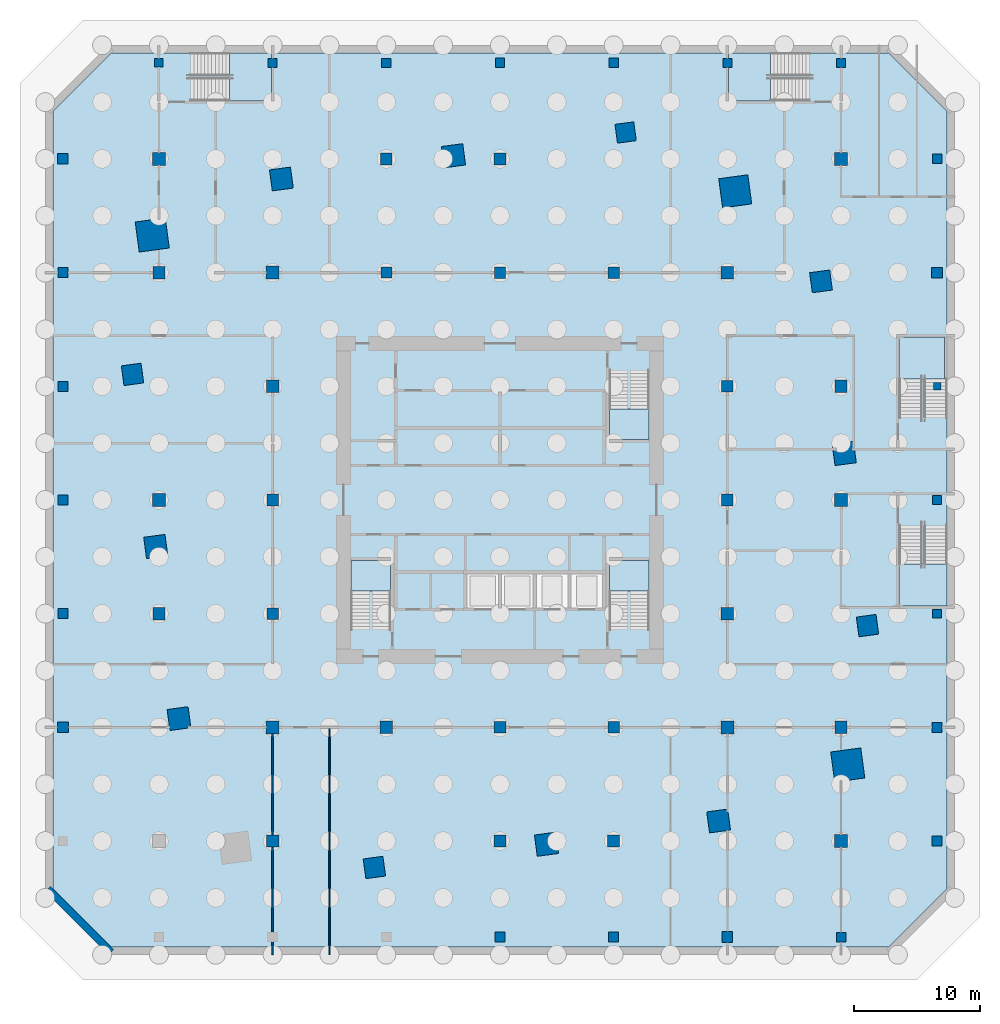
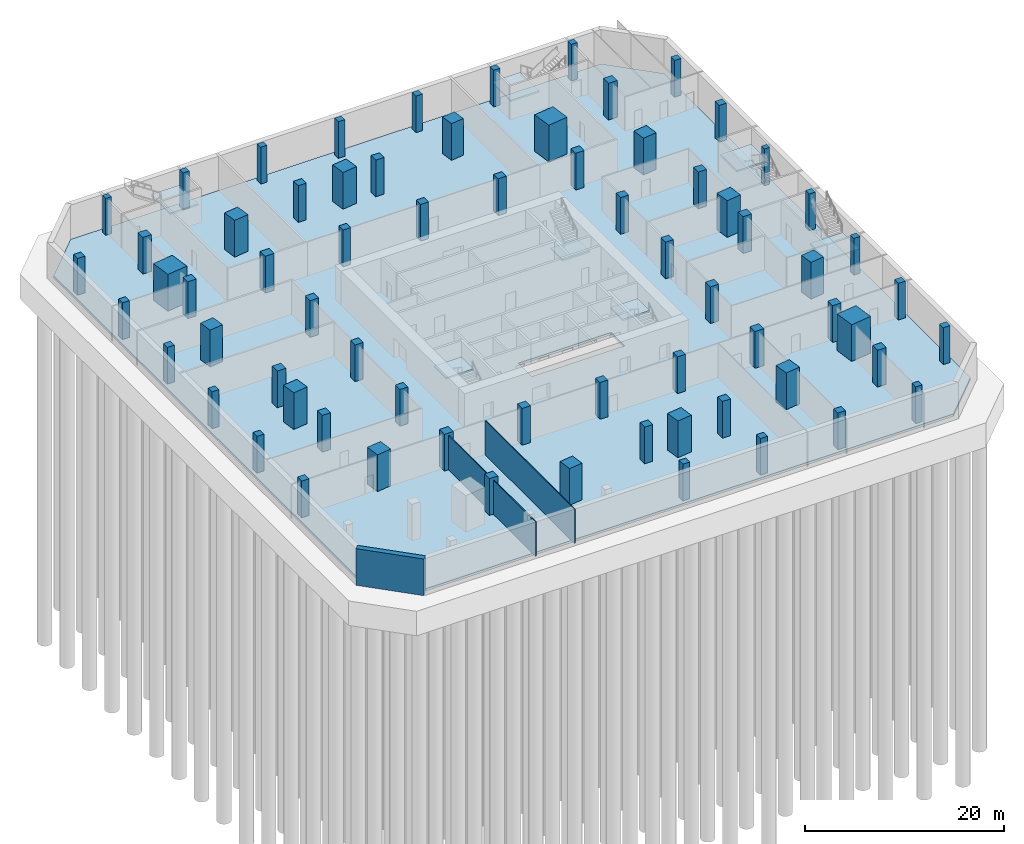
# One storey, part 2 of 12: 69 columns, 8 slabs, 4 walls, 7 elements without a shape of their own.
"""IFC4 building model written with IfcOpenShell, lengths in metres."""

from ifc_helpers import new_model, si_unit, direction, frame, frame_2d, origin, origin_2d, place, context, subcontext, project, spatial, polyline, rectangle, outline, extrude, material, layer, layer_set, material_profile, profile_set, type_object, element, aggregate, save


model = new_model("IFC4")

# Units and contexts
model_context = context("Model", 3, precision=1e-05, world=origin(), true_north=direction((0.0, 1.0)))
body_context = subcontext(model_context, "Body", "Model", "MODEL_VIEW")
ifc_project = project(units=[si_unit("LENGTHUNIT", "METRE"), si_unit("AREAUNIT", "SQUARE_METRE"), si_unit("VOLUMEUNIT", "CUBIC_METRE"), si_unit("PLANEANGLEUNIT", "RADIAN"), si_unit("MASSUNIT", "GRAM", prefix="KILO")], contexts=[model_context])

# Site, building, storey
site_placement = place(None, origin())
site = spatial("IfcSite", under=ifc_project, at=site_placement, CompositionType="ELEMENT")
building_placement = place(site_placement, origin())
building = spatial("IfcBuilding", under=site, at=building_placement, Name="Dilmun Exchange Tower", CompositionType="ELEMENT")
storey_placement = place(building_placement, frame((0.0, 0.0, -9.0)))
storey = spatial("IfcBuildingStorey", under=building, at=storey_placement, Name="B2", CompositionType="ELEMENT", Elevation=-9.0)

# Columns
ifc_material_1 = material(Name="Concrete C80/95", Category="concrete")
ifc_material_profile_1 = material_profile(ifc_material_1, rectangle(XDim=2.324951171875, YDim=2.324951171875, at=origin_2d()), Name="2325 x 2325")
ifc_profile_set_1 = profile_set([ifc_material_profile_1], Name="Concrete C80/95")
column_type_1 = type_object("IfcColumnType", Name="RC mega column 2325 x 2325 C80/95", PredefinedType="COLUMN", material=ifc_profile_set_1)
column_1_placement = place(storey_placement, frame((18.6220703125, 24.43701171875, -0.300048828125), z_axis=(0.0, 0.0, 1.0), x_axis=(0.991001197216, 0.133853005627, 0.0)))
element("IfcColumn", 1, at=column_1_placement, inside=storey, type_object=column_type_1, Name="Mega column M1", PredefinedType="COLUMN", context=body_context, shape_type="SweptSolid", body=[
    extrude(rectangle(XDim=2.324951171875, YDim=2.324951171875, at=origin_2d()), origin(), (0.0, 0.0, 1.0), 4.800048828125),
])
ifc_material_profile_2 = material_profile(ifc_material_1, rectangle(XDim=2.39990234375, YDim=2.39990234375, at=origin_2d()), Name="2400 x 2400")
ifc_profile_set_2 = profile_set([ifc_material_profile_2], Name="Concrete C80/95")
column_type_2 = type_object("IfcColumnType", Name="RC mega column 2400 x 2400 C80/95", PredefinedType="COLUMN", material=ifc_profile_set_2)
for number, where, z_axis, x_axis, name in (
    (2, (-27.531005859375, 20.97900390625, -0.300048828125), (0.0, 0.0, 1.0), (0.991001197216, 0.133853005627, 0.0), "Mega column M2"),
    (3, (27.531005859375, -20.97900390625, -0.300048828125), (0.0, 0.0, 1.0), (0.991001197216, 0.133853005627, 0.0), "Mega column M4"),
):
    element("IfcColumn", number, at=place(storey_placement, frame(where, z_axis=z_axis, x_axis=x_axis)), inside=storey, type_object=column_type_2, Name=name, PredefinedType="COLUMN", context=body_context, shape_type="SweptSolid", body=[
        extrude(rectangle(XDim=2.39990234375, YDim=2.39990234375, at=origin_2d()), origin(), (0.0, 0.0, 1.0), 4.800048828125),
    ])
ifc_material_2 = material(Name="Concrete C60/75", Category="concrete")
ifc_material_profile_3 = material_profile(ifc_material_2, rectangle(XDim=1.0, YDim=1.0, at=origin_2d()), Name="1000 x 1000")
ifc_profile_set_3 = profile_set([ifc_material_profile_3], Name="Concrete C60/75")
column_type_3 = type_object("IfcColumnType", Name="RC podium column 1000 x 1000 C60/75", PredefinedType="COLUMN", material=ifc_profile_set_3)
for number, where, z_axis, x_axis, name in (
    (4, (-27.0, 27.0, -0.300048828125), (0.0, 0.0, 1.0), (1.0, 0.0, 0.0), "Podium column 6M"),
    (5, (27.0, -27.0, -0.300048828125), (0.0, 0.0, 1.0), (1.0, 0.0, 0.0), "Podium column 12F"),
    (6, (27.0, 0.0, -0.300048828125), (0.0, 0.0, 1.0), (1.0, 0.0, 0.0), "Podium column 12J"),
):
    element("IfcColumn", number, at=place(storey_placement, frame(where, z_axis=z_axis, x_axis=x_axis)), inside=storey, type_object=column_type_3, Name=name, PredefinedType="COLUMN", context=body_context, shape_type="SweptSolid", body=[
        extrude(rectangle(XDim=1.0, YDim=1.0, at=origin_2d()), origin(), (0.0, 0.0, 1.0), 4.800048828125),
    ])
ifc_material_profile_4 = material_profile(ifc_material_2, rectangle(XDim=1.02490234375, YDim=1.02490234375, at=origin_2d()), Name="1025 x 1025")
ifc_profile_set_4 = profile_set([ifc_material_profile_4], Name="Concrete C60/75")
column_type_4 = type_object("IfcColumnType", Name="RC podium column 1025 x 1025 C60/75", PredefinedType="COLUMN", material=ifc_profile_set_4)
for number, where, z_axis, x_axis, name in (
    (7, (-27.0, 0.0, -0.300048828125), (0.0, 0.0, 1.0), (1.0, 0.0, 0.0), "Podium column 6J"),
    (8, (-18.0, -18.0, -0.300048828125), (0.0, 0.0, 1.0), (1.0, 0.0, 0.0), "Podium column 7G"),
    (9, (-18.0, 18.0, -0.300048828125), (0.0, 0.0, 1.0), (1.0, 0.0, 0.0), "Podium column 7L"),
    (10, (18.0, -18.0, -0.300048828125), (0.0, 0.0, 1.0), (1.0, 0.0, 0.0), "Podium column 11G"),
    (11, (27.0, 27.0, -0.300048828125), (0.0, 0.0, 1.0), (1.0, 0.0, 0.0), "Podium column 12M"),
):
    element("IfcColumn", number, at=place(storey_placement, frame(where, z_axis=z_axis, x_axis=x_axis)), inside=storey, type_object=column_type_4, Name=name, PredefinedType="COLUMN", context=body_context, shape_type="SweptSolid", body=[
        extrude(rectangle(XDim=1.02490234375, YDim=1.02490234375, at=origin_2d()), origin(), (0.0, 0.0, 1.0), 4.800048828125),
    ])
ifc_material_profile_5 = material_profile(ifc_material_2, rectangle(XDim=0.60009765625, YDim=0.60009765625, at=origin_2d()), Name="600 x 600")
ifc_profile_set_5 = profile_set([ifc_material_profile_5], Name="Concrete C60/75")
column_type_5 = type_object("IfcColumnType", Name="RC podium column 600 x 600 C60/75", PredefinedType="COLUMN", material=ifc_profile_set_5)
column_2_placement = place(storey_placement, frame((34.60009765625, 9.0, -0.300048828125), z_axis=(0.0, 0.0, 1.0), x_axis=(1.0, 0.0, 0.0)))
element("IfcColumn", 12, at=column_2_placement, inside=storey, type_object=column_type_5, Name="Podium column 13K", PredefinedType="COLUMN", context=body_context, shape_type="SweptSolid", body=[
    extrude(rectangle(XDim=0.60009765625, YDim=0.60009765625, at=origin_2d()), origin(), (0.0, 0.0, 1.0), 4.800048828125),
])
ifc_material_profile_6 = material_profile(ifc_material_2, rectangle(XDim=0.675048828125, YDim=0.675048828125, at=origin_2d()), Name="675 x 675")
ifc_profile_set_6 = profile_set([ifc_material_profile_6], Name="Concrete C60/75")
column_type_6 = type_object("IfcColumnType", Name="RC podium column 675 x 675 C60/75", PredefinedType="COLUMN", material=ifc_profile_set_6)
column_3_placement = place(storey_placement, frame((-27.0, 34.60009765625, -0.300048828125), z_axis=(0.0, 0.0, 1.0), x_axis=(1.0, 0.0, 0.0)))
element("IfcColumn", 13, at=column_3_placement, inside=storey, type_object=column_type_6, Name="Podium column 6N", PredefinedType="COLUMN", context=body_context, shape_type="SweptSolid", body=[
    extrude(rectangle(XDim=0.675048828125, YDim=0.675048828125, at=origin_2d()), origin(), (0.0, 0.0, 1.0), 4.800048828125),
])
ifc_material_profile_7 = material_profile(ifc_material_2, rectangle(XDim=0.699951171875, YDim=0.699951171875, at=origin_2d()), Name="700 x 700")
ifc_profile_set_7 = profile_set([ifc_material_profile_7], Name="Concrete C60/75")
column_type_7 = type_object("IfcColumnType", Name="RC podium column 700 x 700 C60/75", PredefinedType="COLUMN", material=ifc_profile_set_7)
for number, where, z_axis, x_axis, name in (
    (14, (27.0, 34.60009765625, -0.300048828125), (0.0, 0.0, 1.0), (1.0, 0.0, 0.0), "Podium column 12N"),
    (15, (34.60009765625, -9.0, -0.300048828125), (0.0, 0.0, 1.0), (1.0, 0.0, 0.0), "Podium column 13H"),
):
    element("IfcColumn", number, at=place(storey_placement, frame(where, z_axis=z_axis, x_axis=x_axis)), inside=storey, type_object=column_type_7, Name=name, PredefinedType="COLUMN", context=body_context, shape_type="SweptSolid", body=[
        extrude(rectangle(XDim=0.699951171875, YDim=0.699951171875, at=origin_2d()), origin(), (0.0, 0.0, 1.0), 4.800048828125),
    ])
ifc_material_profile_8 = material_profile(ifc_material_2, rectangle(XDim=0.72509765625, YDim=0.72509765625, at=origin_2d()), Name="725 x 725")
ifc_profile_set_8 = profile_set([ifc_material_profile_8], Name="Concrete C60/75")
column_type_8 = type_object("IfcColumnType", Name="RC podium column 725 x 725 C60/75", PredefinedType="COLUMN", material=ifc_profile_set_8)
for number, where, z_axis, x_axis, name in (
    (16, (-18.0, 34.60009765625, -0.300048828125), (0.0, 0.0, 1.0), (1.0, 0.0, 0.0), "Podium column 7N"),
    (17, (-9.0, 34.60009765625, -0.300048828125), (0.0, 0.0, 1.0), (1.0, 0.0, 0.0), "Podium column 8N"),
    (18, (18.0, 34.60009765625, -0.300048828125), (0.0, 0.0, 1.0), (1.0, 0.0, 0.0), "Podium column 11N"),
    (19, (34.60009765625, 0.0, -0.300048828125), (0.0, 0.0, 1.0), (1.0, 0.0, 0.0), "Podium column 13J"),
):
    element("IfcColumn", number, at=place(storey_placement, frame(where, z_axis=z_axis, x_axis=x_axis)), inside=storey, type_object=column_type_8, Name=name, PredefinedType="COLUMN", context=body_context, shape_type="SweptSolid", body=[
        extrude(rectangle(XDim=0.72509765625, YDim=0.72509765625, at=origin_2d()), origin(), (0.0, 0.0, 1.0), 4.800048828125),
    ])
ifc_material_profile_9 = material_profile(ifc_material_2, rectangle(XDim=0.75, YDim=0.75, at=origin_2d()), Name="750 x 750")
ifc_profile_set_9 = profile_set([ifc_material_profile_9], Name="Concrete C60/75")
column_type_9 = type_object("IfcColumnType", Name="RC podium column 750 x 750 C60/75", PredefinedType="COLUMN", material=ifc_profile_set_9)
for number, where, z_axis, x_axis, name in (
    (20, (0.0, 34.60009765625, -0.300048828125), (0.0, 0.0, 1.0), (1.0, 0.0, 0.0), "Podium column 9N"),
    (21, (9.0, 34.60009765625, -0.300048828125), (0.0, 0.0, 1.0), (1.0, 0.0, 0.0), "Podium column 10N"),
    (22, (27.0, -34.60009765625, -0.300048828125), (0.0, 0.0, 1.0), (1.0, 0.0, 0.0), "Podium column 12E"),
    (23, (34.60009765625, 27.0, -0.300048828125), (0.0, 0.0, 1.0), (1.0, 0.0, 0.0), "Podium column 13M"),
):
    element("IfcColumn", number, at=place(storey_placement, frame(where, z_axis=z_axis, x_axis=x_axis)), inside=storey, type_object=column_type_9, Name=name, PredefinedType="COLUMN", context=body_context, shape_type="SweptSolid", body=[
        extrude(rectangle(XDim=0.75, YDim=0.75, at=origin_2d()), origin(), (0.0, 0.0, 1.0), 4.800048828125),
    ])
ifc_material_profile_10 = material_profile(ifc_material_2, rectangle(XDim=0.800048828125, YDim=0.800048828125, at=origin_2d()), Name="800 x 800")
ifc_profile_set_10 = profile_set([ifc_material_profile_10], Name="Concrete C60/75")
column_type_10 = type_object("IfcColumnType", Name="RC podium column 800 x 800 C60/75", PredefinedType="COLUMN", material=ifc_profile_set_10)
for number, where, z_axis, x_axis, name in (
    (24, (-34.60009765625, -9.0, -0.300048828125), (0.0, 0.0, 1.0), (1.0, 0.0, 0.0), "Podium column 5H"),
    (25, (-34.60009765625, 0.0, -0.300048828125), (0.0, 0.0, 1.0), (1.0, 0.0, 0.0), "Podium column 5J"),
    (26, (-34.60009765625, 9.0, -0.300048828125), (0.0, 0.0, 1.0), (1.0, 0.0, 0.0), "Podium column 5K"),
    (27, (-34.60009765625, 18.0, -0.300048828125), (0.0, 0.0, 1.0), (1.0, 0.0, 0.0), "Podium column 5L"),
    (28, (0.0, -34.60009765625, -0.300048828125), (0.0, 0.0, 1.0), (1.0, 0.0, 0.0), "Podium column 9E"),
    (29, (9.0, -34.60009765625, -0.300048828125), (0.0, 0.0, 1.0), (1.0, 0.0, 0.0), "Podium column 10E"),
    (30, (34.60009765625, -27.0, -0.300048828125), (0.0, 0.0, 1.0), (1.0, 0.0, 0.0), "Podium column 13F"),
    (31, (34.60009765625, -18.0, -0.300048828125), (0.0, 0.0, 1.0), (1.0, 0.0, 0.0), "Podium column 13G"),
):
    element("IfcColumn", number, at=place(storey_placement, frame(where, z_axis=z_axis, x_axis=x_axis)), inside=storey, type_object=column_type_10, Name=name, PredefinedType="COLUMN", context=body_context, shape_type="SweptSolid", body=[
        extrude(rectangle(XDim=0.800048828125, YDim=0.800048828125, at=origin_2d()), origin(), (0.0, 0.0, 1.0), 4.800048828125),
    ])
ifc_material_profile_11 = material_profile(ifc_material_2, rectangle(XDim=0.824951171875, YDim=0.824951171875, at=origin_2d()), Name="825 x 825")
ifc_profile_set_11 = profile_set([ifc_material_profile_11], Name="Concrete C60/75")
column_type_11 = type_object("IfcColumnType", Name="RC podium column 825 x 825 C60/75", PredefinedType="COLUMN", material=ifc_profile_set_11)
column_4_placement = place(storey_placement, frame((-34.60009765625, 27.0, -0.300048828125), z_axis=(0.0, 0.0, 1.0), x_axis=(1.0, 0.0, 0.0)))
element("IfcColumn", 32, at=column_4_placement, inside=storey, type_object=column_type_11, Name="Podium column 5M", PredefinedType="COLUMN", context=body_context, shape_type="SweptSolid", body=[
    extrude(rectangle(XDim=0.824951171875, YDim=0.824951171875, at=origin_2d()), origin(), (0.0, 0.0, 1.0), 4.800048828125),
])
ifc_material_profile_12 = material_profile(ifc_material_2, rectangle(XDim=0.85009765625, YDim=0.85009765625, at=origin_2d()), Name="850 x 850")
ifc_profile_set_12 = profile_set([ifc_material_profile_12], Name="Concrete C60/75")
column_type_12 = type_object("IfcColumnType", Name="RC podium column 850 x 850 C60/75", PredefinedType="COLUMN", material=ifc_profile_set_12)
for number, where, z_axis, x_axis, name in (
    (33, (-34.60009765625, -18.0, -0.300048828125), (0.0, 0.0, 1.0), (1.0, 0.0, 0.0), "Podium column 5G"),
    (34, (18.0, -34.60009765625, -0.300048828125), (0.0, 0.0, 1.0), (1.0, 0.0, 0.0), "Podium column 11E"),
    (35, (34.60009765625, 18.0, -0.300048828125), (0.0, 0.0, 1.0), (1.0, 0.0, 0.0), "Podium column 13L"),
):
    element("IfcColumn", number, at=place(storey_placement, frame(where, z_axis=z_axis, x_axis=x_axis)), inside=storey, type_object=column_type_12, Name=name, PredefinedType="COLUMN", context=body_context, shape_type="SweptSolid", body=[
        extrude(rectangle(XDim=0.85009765625, YDim=0.85009765625, at=origin_2d()), origin(), (0.0, 0.0, 1.0), 4.800048828125),
    ])
ifc_material_profile_13 = material_profile(ifc_material_2, rectangle(XDim=0.875, YDim=0.875, at=origin_2d()), Name="875 x 875")
ifc_profile_set_13 = profile_set([ifc_material_profile_13], Name="Concrete C60/75")
column_type_13 = type_object("IfcColumnType", Name="RC podium column 875 x 875 C60/75", PredefinedType="COLUMN", material=ifc_profile_set_13)
column_5_placement = place(storey_placement, frame((-9.0, 18.0, -0.300048828125), z_axis=(0.0, 0.0, 1.0), x_axis=(1.0, 0.0, 0.0)))
element("IfcColumn", 36, at=column_5_placement, inside=storey, type_object=column_type_13, Name="Podium column 8L", PredefinedType="COLUMN", context=body_context, shape_type="SweptSolid", body=[
    extrude(rectangle(XDim=0.875, YDim=0.875, at=origin_2d()), origin(), (0.0, 0.0, 1.0), 4.800048828125),
])
ifc_material_profile_14 = material_profile(ifc_material_2, rectangle(XDim=0.89990234375, YDim=0.89990234375, at=origin_2d()), Name="900 x 900")
ifc_profile_set_14 = profile_set([ifc_material_profile_14], Name="Concrete C60/75")
column_type_14 = type_object("IfcColumnType", Name="RC podium column 900 x 900 C60/75", PredefinedType="COLUMN", material=ifc_profile_set_14)
column_6_placement = place(storey_placement, frame((0.0, 18.0, -0.300048828125), z_axis=(0.0, 0.0, 1.0), x_axis=(1.0, 0.0, 0.0)))
element("IfcColumn", 37, at=column_6_placement, inside=storey, type_object=column_type_14, Name="Podium column 9L", PredefinedType="COLUMN", context=body_context, shape_type="SweptSolid", body=[
    extrude(rectangle(XDim=0.89990234375, YDim=0.89990234375, at=origin_2d()), origin(), (0.0, 0.0, 1.0), 4.800048828125),
])
ifc_material_profile_15 = material_profile(ifc_material_2, rectangle(XDim=0.925048828125, YDim=0.925048828125, at=origin_2d()), Name="925 x 925")
ifc_profile_set_15 = profile_set([ifc_material_profile_15], Name="Concrete C60/75")
column_type_15 = type_object("IfcColumnType", Name="RC podium column 925 x 925 C60/75", PredefinedType="COLUMN", material=ifc_profile_set_15)
for number, where, z_axis, x_axis, name in (
    (38, (-18.0, -9.0, -0.300048828125), (0.0, 0.0, 1.0), (1.0, 0.0, 0.0), "Podium column 7H"),
    (39, (-18.0, 0.0, -0.300048828125), (0.0, 0.0, 1.0), (1.0, 0.0, 0.0), "Podium column 7J"),
    (40, (-9.0, 27.0, -0.300048828125), (0.0, 0.0, 1.0), (1.0, 0.0, 0.0), "Podium column 8M"),
    (41, (0.0, -27.0, -0.300048828125), (0.0, 0.0, 1.0), (1.0, 0.0, 0.0), "Podium column 9F"),
    (42, (0.0, -18.0, -0.300048828125), (0.0, 0.0, 1.0), (1.0, 0.0, 0.0), "Podium column 9G"),
    (43, (9.0, -18.0, -0.300048828125), (0.0, 0.0, 1.0), (1.0, 0.0, 0.0), "Podium column 10G"),
    (44, (9.0, 18.0, -0.300048828125), (0.0, 0.0, 1.0), (1.0, 0.0, 0.0), "Podium column 10L"),
    (45, (18.0, 0.0, -0.300048828125), (0.0, 0.0, 1.0), (1.0, 0.0, 0.0), "Podium column 11J"),
    (46, (18.0, 9.0, -0.300048828125), (0.0, 0.0, 1.0), (1.0, 0.0, 0.0), "Podium column 11K"),
):
    element("IfcColumn", number, at=place(storey_placement, frame(where, z_axis=z_axis, x_axis=x_axis)), inside=storey, type_object=column_type_15, Name=name, PredefinedType="COLUMN", context=body_context, shape_type="SweptSolid", body=[
        extrude(rectangle(XDim=0.925048828125, YDim=0.925048828125, at=origin_2d()), origin(), (0.0, 0.0, 1.0), 4.800048828125),
    ])
ifc_material_profile_16 = material_profile(ifc_material_2, rectangle(XDim=0.949951171875, YDim=0.949951171875, at=origin_2d()), Name="950 x 950")
ifc_profile_set_16 = profile_set([ifc_material_profile_16], Name="Concrete C60/75")
column_type_16 = type_object("IfcColumnType", Name="RC podium column 950 x 950 C60/75", PredefinedType="COLUMN", material=ifc_profile_set_16)
for number, where, z_axis, x_axis, name in (
    (47, (0.0, 27.0, -0.300048828125), (0.0, 0.0, 1.0), (1.0, 0.0, 0.0), "Podium column 9M"),
    (48, (9.0, -27.0, -0.300048828125), (0.0, 0.0, 1.0), (1.0, 0.0, 0.0), "Podium column 10F"),
):
    element("IfcColumn", number, at=place(storey_placement, frame(where, z_axis=z_axis, x_axis=x_axis)), inside=storey, type_object=column_type_16, Name=name, PredefinedType="COLUMN", context=body_context, shape_type="SweptSolid", body=[
        extrude(rectangle(XDim=0.949951171875, YDim=0.949951171875, at=origin_2d()), origin(), (0.0, 0.0, 1.0), 4.800048828125),
    ])
ifc_material_profile_17 = material_profile(ifc_material_2, rectangle(XDim=0.97509765625, YDim=0.97509765625, at=origin_2d()), Name="975 x 975")
ifc_profile_set_17 = profile_set([ifc_material_profile_17], Name="Concrete C60/75")
column_type_17 = type_object("IfcColumnType", Name="RC podium column 975 x 975 C60/75", PredefinedType="COLUMN", material=ifc_profile_set_17)
for number, where, z_axis, x_axis, name in (
    (49, (-27.0, -9.0, -0.300048828125), (0.0, 0.0, 1.0), (1.0, 0.0, 0.0), "Podium column 6H"),
    (50, (-27.0, 18.0, -0.300048828125), (0.0, 0.0, 1.0), (1.0, 0.0, 0.0), "Podium column 6L"),
    (51, (-18.0, -27.0, -0.300048828125), (0.0, 0.0, 1.0), (1.0, 0.0, 0.0), "Podium column 7F"),
    (52, (-18.0, 9.0, -0.300048828125), (0.0, 0.0, 1.0), (1.0, 0.0, 0.0), "Podium column 7K"),
    (53, (-9.0, -18.0, -0.300048828125), (0.0, 0.0, 1.0), (1.0, 0.0, 0.0), "Podium column 8G"),
    (54, (18.0, -9.0, -0.300048828125), (0.0, 0.0, 1.0), (1.0, 0.0, 0.0), "Podium column 11H"),
    (55, (18.0, 18.0, -0.300048828125), (0.0, 0.0, 1.0), (1.0, 0.0, 0.0), "Podium column 11L"),
    (56, (27.0, -18.0, -0.300048828125), (0.0, 0.0, 1.0), (1.0, 0.0, 0.0), "Podium column 12G"),
    (57, (27.0, 9.0, -0.300048828125), (0.0, 0.0, 1.0), (1.0, 0.0, 0.0), "Podium column 12K"),
):
    element("IfcColumn", number, at=place(storey_placement, frame(where, z_axis=z_axis, x_axis=x_axis)), inside=storey, type_object=column_type_17, Name=name, PredefinedType="COLUMN", context=body_context, shape_type="SweptSolid", body=[
        extrude(rectangle(XDim=0.97509765625, YDim=0.97509765625, at=origin_2d()), origin(), (0.0, 0.0, 1.0), 4.800048828125),
    ])
ifc_material_profile_18 = material_profile(ifc_material_1, rectangle(XDim=1.5, YDim=1.5, at=origin_2d()), Name="1500 x 1500")
ifc_profile_set_18 = profile_set([ifc_material_profile_18], Name="Concrete C80/95")
column_type_18 = type_object("IfcColumnType", Name="RC ring column 1500 x 1500 C80/95", PredefinedType="COLUMN", material=ifc_profile_set_18)
column_7_placement = place(storey_placement, frame((9.945068359375, 29.093017578125, -0.300048828125), z_axis=(0.0, 0.0, 1.0), x_axis=(0.991001197216, 0.133853005627, 0.0)))
element("IfcColumn", 58, at=column_7_placement, inside=storey, type_object=column_type_18, Name="Ring column R01", PredefinedType="COLUMN", context=body_context, shape_type="SweptSolid", body=[
    extrude(rectangle(XDim=1.5, YDim=1.5, at=origin_2d()), origin(), (0.0, 0.0, 1.0), 4.800048828125),
])
ifc_material_profile_19 = material_profile(ifc_material_1, rectangle(XDim=1.574951171875, YDim=1.574951171875, at=origin_2d()), Name="1575 x 1575")
ifc_profile_set_19 = profile_set([ifc_material_profile_19], Name="Concrete C80/95")
column_type_19 = type_object("IfcColumnType", Name="RC ring column 1575 x 1575 C80/95", PredefinedType="COLUMN", material=ifc_profile_set_19)
for number, where, z_axis, x_axis, name in (
    (59, (-29.093017578125, 9.945068359375, -0.300048828125), (0.0, 0.0, 1.0), (0.991001197216, 0.133853005627, 0.0), "Ring column R04"),
    (60, (-9.945068359375, -29.093017578125, -0.300048828125), (0.0, 0.0, 1.0), (0.991001197216, 0.133853005627, 0.0), "Ring column R07"),
    (61, (29.093017578125, -9.945068359375, -0.300048828125), (0.0, 0.0, 1.0), (0.991001197216, 0.133853005627, 0.0), "Ring column R10"),
):
    element("IfcColumn", number, at=place(storey_placement, frame(where, z_axis=z_axis, x_axis=x_axis)), inside=storey, type_object=column_type_19, Name=name, PredefinedType="COLUMN", context=body_context, shape_type="SweptSolid", body=[
        extrude(rectangle(XDim=1.574951171875, YDim=1.574951171875, at=origin_2d()), origin(), (0.0, 0.0, 1.0), 4.800048828125),
    ])
ifc_material_profile_20 = material_profile(ifc_material_1, rectangle(XDim=1.60009765625, YDim=1.60009765625, at=origin_2d()), Name="1600 x 1600")
ifc_profile_set_20 = profile_set([ifc_material_profile_20], Name="Concrete C80/95")
column_type_20 = type_object("IfcColumnType", Name="RC ring column 1600 x 1600 C80/95", PredefinedType="COLUMN", material=ifc_profile_set_20)
column_8_placement = place(storey_placement, frame((25.412109375, 17.306884765625, -0.300048828125), z_axis=(0.0, 0.0, 1.0), x_axis=(0.991001197216, 0.133853005627, 0.0)))
element("IfcColumn", 62, at=column_8_placement, inside=storey, type_object=column_type_20, Name="Ring column R12", PredefinedType="COLUMN", context=body_context, shape_type="SweptSolid", body=[
    extrude(rectangle(XDim=1.60009765625, YDim=1.60009765625, at=origin_2d()), origin(), (0.0, 0.0, 1.0), 4.800048828125),
])
ifc_material_profile_21 = material_profile(ifc_material_1, rectangle(XDim=1.675048828125, YDim=1.675048828125, at=origin_2d()), Name="1675 x 1675")
ifc_profile_set_21 = profile_set([ifc_material_profile_21], Name="Concrete C80/95")
column_type_21 = type_object("IfcColumnType", Name="RC ring column 1675 x 1675 C80/95", PredefinedType="COLUMN", material=ifc_profile_set_21)
for number, where, z_axis, x_axis, name in (
    (63, (-17.306884765625, 25.412109375, -0.300048828125), (0.0, 0.0, 1.0), (0.991001197216, 0.133853005627, 0.0), "Ring column R03"),
    (64, (-25.412109375, -17.306884765625, -0.300048828125), (0.0, 0.0, 1.0), (0.991001197216, 0.133853005627, 0.0), "Ring column R06"),
    (65, (17.306884765625, -25.412109375, -0.300048828125), (0.0, 0.0, 1.0), (0.991001197216, 0.133853005627, 0.0), "Ring column R09"),
):
    element("IfcColumn", number, at=place(storey_placement, frame(where, z_axis=z_axis, x_axis=x_axis)), inside=storey, type_object=column_type_21, Name=name, PredefinedType="COLUMN", context=body_context, shape_type="SweptSolid", body=[
        extrude(rectangle(XDim=1.675048828125, YDim=1.675048828125, at=origin_2d()), origin(), (0.0, 0.0, 1.0), 4.800048828125),
    ])
ifc_material_profile_22 = material_profile(ifc_material_1, rectangle(XDim=1.699951171875, YDim=1.699951171875, at=origin_2d()), Name="1700 x 1700")
ifc_profile_set_22 = profile_set([ifc_material_profile_22], Name="Concrete C80/95")
column_type_22 = type_object("IfcColumnType", Name="RC ring column 1700 x 1700 C80/95", PredefinedType="COLUMN", material=ifc_profile_set_22)
for number, where, z_axis, x_axis, name in (
    (66, (-3.680908203125, 27.2529296875, -0.300048828125), (0.0, 0.0, 1.0), (0.991001197216, 0.133853005627, 0.0), "Ring column R02"),
    (67, (-27.2529296875, -3.680908203125, -0.300048828125), (0.0, 0.0, 1.0), (0.991001197216, 0.133853005627, 0.0), "Ring column R05"),
    (68, (3.680908203125, -27.2529296875, -0.300048828125), (0.0, 0.0, 1.0), (0.991001197216, 0.133853005627, 0.0), "Ring column R08"),
    (69, (27.2529296875, 3.680908203125, -0.300048828125), (0.0, 0.0, 1.0), (0.991001197216, 0.133853005627, 0.0), "Ring column R11"),
):
    element("IfcColumn", number, at=place(storey_placement, frame(where, z_axis=z_axis, x_axis=x_axis)), inside=storey, type_object=column_type_22, Name=name, PredefinedType="COLUMN", context=body_context, shape_type="SweptSolid", body=[
        extrude(rectangle(XDim=1.699951171875, YDim=1.699951171875, at=origin_2d()), origin(), (0.0, 0.0, 1.0), 4.800048828125),
    ])

# Stair, slab
ifc_material_3 = material(Name="Concrete C40/50", Category="concrete")
stair_type_1 = type_object("IfcStairType", Name="Exit stair 1500 half-turn", PredefinedType="HALF_TURN_STAIR", material=ifc_material_3)
stair_1_placement = place(storey_placement, origin())
stair_1 = element("IfcStair", 70, at=stair_1_placement, inside=storey, type_object=stair_type_1, Name="B2 Protected exit stair ST1", PredefinedType="HALF_TURN_STAIR")
ifc_layer_1 = layer(ifc_material_3, 0.199951171875)
ifc_layer_set_1 = layer_set([ifc_layer_1], Name="Concrete C40/50")
slab_type_1 = type_object("IfcSlabType", Name="Exit stair landing 200", PredefinedType="LANDING", material=ifc_layer_set_1)
slab_1_placement = place(storey_placement, frame((0.0, 0.0, 2.050048828125)))
slab_1 = element("IfcSlab", 71, at=slab_1_placement, type_object=slab_type_1, Name="ST1 landing 1", PredefinedType="LANDING", context=body_context, shape_type="SweptSolid", body=[
    extrude(outline(polyline([(8.64990234375, 7.219970703125), (8.64990234375, 4.800048828125), (11.800048828125, 4.800048828125), (11.800048828125, 7.219970703125), (8.64990234375, 7.219970703125)])), origin(), (0.0, 0.0, 1.0), 0.199951171875),
])
aggregate(stair_1, [slab_1])

stair_2_placement = place(storey_placement, origin())
stair_2 = element("IfcStair", 72, at=stair_2_placement, inside=storey, type_object=stair_type_1, Name="B2 Protected exit stair ST2", PredefinedType="HALF_TURN_STAIR")
slab_2_placement = place(storey_placement, frame((0.0, 0.0, 2.050048828125)))
slab_2 = element("IfcSlab", 73, at=slab_2_placement, type_object=slab_type_1, Name="ST2 landing 1", PredefinedType="LANDING", context=body_context, shape_type="SweptSolid", body=[
    extrude(outline(polyline([(-8.64990234375, -7.219970703125), (-8.64990234375, -4.800048828125), (-11.800048828125, -4.800048828125), (-11.800048828125, -7.219970703125), (-8.64990234375, -7.219970703125)])), origin(), (0.0, 0.0, 1.0), 0.199951171875),
])
aggregate(stair_2, [slab_2])

stair_3_placement = place(storey_placement, origin())
stair_3 = element("IfcStair", 74, at=stair_3_placement, inside=storey, type_object=stair_type_1, Name="B2 Protected exit stair ST3", PredefinedType="HALF_TURN_STAIR")
slab_3_placement = place(storey_placement, frame((0.0, 0.0, 2.050048828125)))
slab_3 = element("IfcSlab", 75, at=slab_3_placement, type_object=slab_type_1, Name="ST3 landing 1", PredefinedType="LANDING", context=body_context, shape_type="SweptSolid", body=[
    extrude(outline(polyline([(11.800048828125, -7.219970703125), (11.800048828125, -4.800048828125), (8.64990234375, -4.800048828125), (8.64990234375, -7.219970703125), (11.800048828125, -7.219970703125)])), origin(), (0.0, 0.0, 1.0), 0.199951171875),
])
aggregate(stair_3, [slab_3])

stair_type_2 = type_object("IfcStairType", Name="Podium exit stair 1500", PredefinedType="HALF_TURN_STAIR", material=ifc_material_3)
stair_4_placement = place(storey_placement, origin())
stair_4 = element("IfcStair", 76, at=stair_4_placement, inside=storey, type_object=stair_type_2, Name="B2 Podium exit stair PS1", PredefinedType="HALF_TURN_STAIR")
ifc_layer_2 = layer(ifc_material_3, 0.199951171875)
ifc_layer_set_2 = layer_set([ifc_layer_2], Name="Concrete C40/50")
slab_type_2 = type_object("IfcSlabType", Name="Podium stair landing 200", PredefinedType="LANDING", material=ifc_layer_set_2)
slab_4_placement = place(storey_placement, frame((0.0, 0.0, 2.050048828125)))
slab_4 = element("IfcSlab", 77, at=slab_4_placement, type_object=slab_type_2, Name="PS1 landing 1", PredefinedType="LANDING", context=body_context, shape_type="SweptSolid", body=[
    extrude(outline(polyline([(-21.419921875, 31.60009765625), (-18.10498046875, 31.60009765625), (-18.10498046875, 35.39794921875), (-21.419921875, 35.39794921875), (-21.419921875, 31.60009765625)])), origin(), (0.0, 0.0, 1.0), 0.199951171875),
])
aggregate(stair_4, [slab_4])

stair_5_placement = place(storey_placement, origin())
stair_5 = element("IfcStair", 78, at=stair_5_placement, inside=storey, type_object=stair_type_2, Name="B2 Podium exit stair PS2", PredefinedType="HALF_TURN_STAIR")
slab_5_placement = place(storey_placement, frame((0.0, 0.0, 2.050048828125)))
slab_5 = element("IfcSlab", 79, at=slab_5_placement, type_object=slab_type_2, Name="PS2 landing 1", PredefinedType="LANDING", context=body_context, shape_type="SweptSolid", body=[
    extrude(outline(polyline([(21.419921875, 35.39794921875), (18.10498046875, 35.39794921875), (18.10498046875, 31.60009765625), (21.419921875, 31.60009765625), (21.419921875, 35.39794921875)])), origin(), (0.0, 0.0, 1.0), 0.199951171875),
])
aggregate(stair_5, [slab_5])

stair_6_placement = place(storey_placement, origin())
stair_6 = element("IfcStair", 80, at=stair_6_placement, inside=storey, type_object=stair_type_2, Name="B2 Podium exit stair PS3", PredefinedType="HALF_TURN_STAIR")
slab_6_placement = place(storey_placement, frame((0.0, 0.0, 2.050048828125)))
slab_6 = element("IfcSlab", 81, at=slab_6_placement, type_object=slab_type_2, Name="PS3 landing 1", PredefinedType="LANDING", context=body_context, shape_type="SweptSolid", body=[
    extrude(outline(polyline([(31.60009765625, -5.080078125), (31.60009765625, -8.39501953125), (35.39794921875, -8.39501953125), (35.39794921875, -5.080078125), (31.60009765625, -5.080078125)])), origin(), (0.0, 0.0, 1.0), 0.199951171875),
])
aggregate(stair_6, [slab_6])

stair_7_placement = place(storey_placement, origin())
stair_7 = element("IfcStair", 82, at=stair_7_placement, inside=storey, type_object=stair_type_2, Name="B2 Podium exit stair PS4", PredefinedType="HALF_TURN_STAIR")
slab_7_placement = place(storey_placement, frame((0.0, 0.0, 2.050048828125)))
slab_7 = element("IfcSlab", 83, at=slab_7_placement, type_object=slab_type_2, Name="PS4 landing 1", PredefinedType="LANDING", context=body_context, shape_type="SweptSolid", body=[
    extrude(outline(polyline([(35.197998046875, 9.580078125), (35.197998046875, 12.89501953125), (31.60009765625, 12.89501953125), (31.60009765625, 9.580078125), (35.197998046875, 9.580078125)])), origin(), (0.0, 0.0, 1.0), 0.199951171875),
])
aggregate(stair_7, [slab_7])

# Slab
ifc_layer_3 = layer(ifc_material_3, 0.300048828125)
ifc_layer_set_3 = layer_set([ifc_layer_3], Name="Concrete C40/50")
slab_type_3 = type_object("IfcSlabType", Name="RC base slab 300", PredefinedType="BASESLAB", material=ifc_layer_set_3)
slab_8_placement = place(storey_placement, frame((0.0, 0.0, -0.300048828125)))
element("IfcSlab", 84, at=slab_8_placement, inside=storey, type_object=slab_type_3, Name="Basement slab", PredefinedType="BASESLAB", context=body_context, shape_type="SweptSolid", body=[
    extrude(outline(polyline([(-35.39990234375, -30.75146484375), (-35.39990234375, 30.75146484375), (-30.75146484375, 35.39990234375), (30.75146484375, 35.39990234375), (35.39990234375, 30.75146484375), (35.39990234375, -30.75146484375), (30.75146484375, -35.39990234375), (-30.75146484375, -35.39990234375), (-35.39990234375, -30.75146484375)]), holes=[polyline([(8.125, -8.550048828125), (8.125, -5.85009765625), (-2.625, -5.85009765625), (-2.625, -8.550048828125), (8.125, -8.550048828125)])]), origin(), (0.0, 0.0, 1.0), 0.300048828125),
])

# Walls
ifc_material_4 = material(Name="Partition 100 gypsum")
ifc_layer_4 = layer(ifc_material_4, 0.10009765625)
ifc_layer_set_4 = layer_set([ifc_layer_4], Name="Partition 100 gypsum")
wall_type_1 = type_object("IfcWallType", Name="Partition 100 gypsum", PredefinedType="PARTITIONING", material=ifc_layer_set_4)
wall_1_placement = place(storey_placement, frame((-18.0, -36.0, 0.0), z_axis=(0.0, 0.0, 1.0), x_axis=(0.0, 1.0, 0.0)))
element("IfcWall", 85, at=wall_1_placement, inside=storey, type_object=wall_type_1, Name="B2 partition", PredefinedType="PARTITIONING", context=body_context, shape_type="SweptSolid", body=[
    extrude(rectangle(XDim=8.5, YDim=0.10009765625, at=frame_2d((4.25, 0.0))), origin(), (0.0, 0.0, 1.0), 4.199951171875),
])
wall_2_placement = place(storey_placement, frame((-18.0, -26.5, 0.0), z_axis=(0.0, 0.0, 1.0), x_axis=(0.0, 1.0, 0.0)))
element("IfcWall", 86, at=wall_2_placement, inside=storey, type_object=wall_type_1, Name="B2 partition", PredefinedType="PARTITIONING", context=body_context, shape_type="SweptSolid", body=[
    extrude(rectangle(XDim=8.0, YDim=0.10009765625, at=frame_2d((4.0, 0.0))), origin(), (0.0, 0.0, 1.0), 4.199951171875),
])
wall_3_placement = place(storey_placement, frame((-13.5, -36.0, 0.0), z_axis=(0.0, 0.0, 1.0), x_axis=(0.0, 1.0, 0.0)))
element("IfcWall", 87, at=wall_3_placement, inside=storey, type_object=wall_type_1, Name="B2 partition", PredefinedType="PARTITIONING", context=body_context, shape_type="SweptSolid", body=[
    extrude(rectangle(XDim=17.925048828125, YDim=0.10009765625, at=frame_2d((8.96240234375, 0.0))), origin(), (0.0, 0.0, 1.0), 4.199951171875),
])
ifc_layer_5 = layer(ifc_material_3, 0.60009765625)
ifc_layer_set_5 = layer_set([ifc_layer_5], Name="Concrete C40/50")
wall_type_2 = type_object("IfcWallType", Name="RC basement wall 600", PredefinedType="SOLIDWALL", material=ifc_layer_set_5)
wall_4_placement = place(storey_placement, frame((-35.787841796875, -30.787841796875, -0.300048828125), z_axis=(0.0, 0.0, 1.0), x_axis=(0.707106781187, -0.707106781187, 0.0)))
element("IfcWall", 88, at=wall_4_placement, inside=storey, type_object=wall_type_2, Name="Basement retaining wall", PredefinedType="SOLIDWALL", context=body_context, shape_type="SweptSolid", body=[
    extrude(rectangle(XDim=7.071044921875, YDim=0.60009765625, at=frame_2d((3.53564453125, 0.0))), origin(), (0.0, 0.0, 1.0), 4.5),
])

save(model, "model.ifc")
